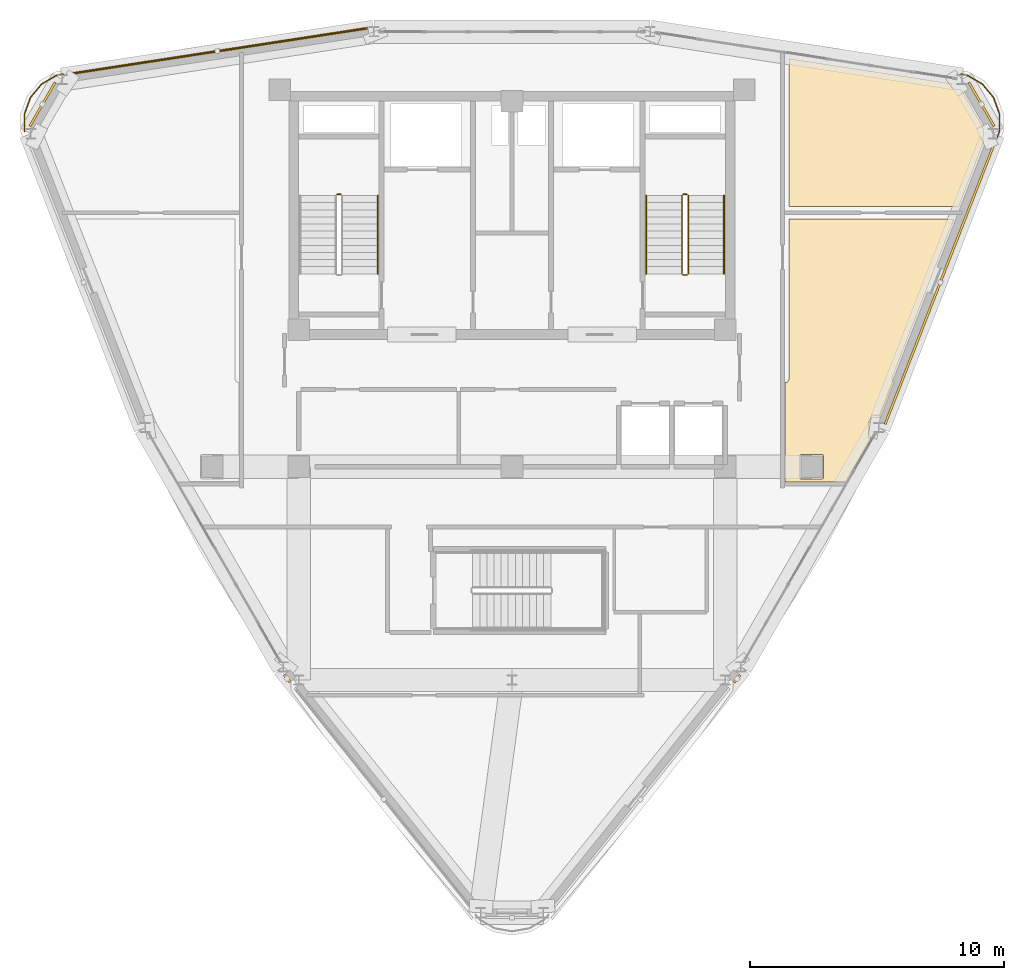
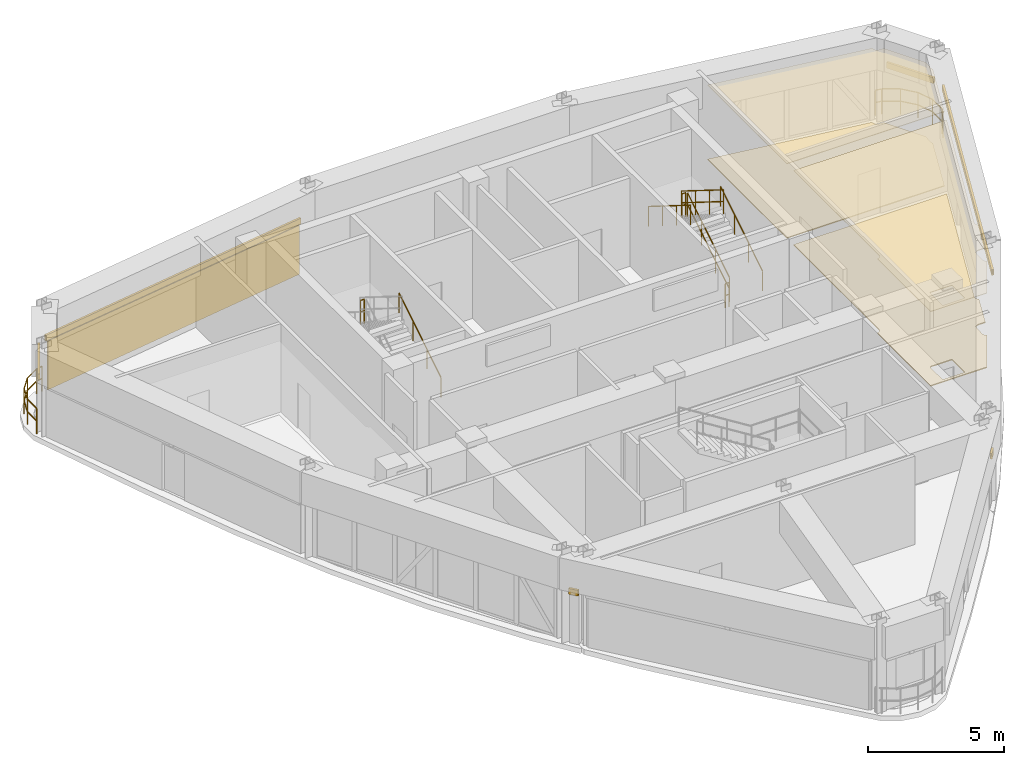
# One storey, part 16 of 16: 10 railings, 6 shading devices, 5 coverings.
"""IFC4 building model written with IfcOpenShell, lengths in metres."""

from ifc_helpers import new_model, si_unit, derived_unit, direction, frame, origin, origin_2d, place, context, subcontext, project, spatial, polyline, hollow_rectangle, circle, outline, extrude, source, transform, mapped, material, layer, layer_set, material_profile, profile_set, type_object, element, save


model = new_model("IFC4")

# Units and contexts
model_context = context("Model", 3, precision=1e-05, world=origin(), true_north=direction((0.0, 1.0)))
body_context = subcontext(model_context, "Body", "Model", "MODEL_VIEW")
ifc_project = project(units=[si_unit("LENGTHUNIT", "METRE"), si_unit("AREAUNIT", "SQUARE_METRE"), si_unit("VOLUMEUNIT", "CUBIC_METRE"), si_unit("PLANEANGLEUNIT", "RADIAN"), si_unit("MASSUNIT", "GRAM", prefix="KILO"), derived_unit("THERMALTRANSMITTANCEUNIT", [(si_unit("POWERUNIT", "WATT"), 1), (si_unit("LENGTHUNIT", "METRE"), -2), (si_unit("THERMODYNAMICTEMPERATUREUNIT", "KELVIN"), -1)])], contexts=[model_context])

# Site, building, storey
site_placement = place(None, origin())
site = spatial("IfcSite", under=ifc_project, at=site_placement, CompositionType="ELEMENT")
building_placement = place(site_placement, origin())
building = spatial("IfcBuilding", under=site, at=building_placement, Name="Korsvarv Bourse and Concert Hall", CompositionType="ELEMENT")
storey_placement = place(building_placement, frame((0.0, 0.0, 283.800048828125)))
storey = spatial("IfcBuildingStorey", under=building, at=storey_placement, Name="L74", CompositionType="ELEMENT", Elevation=283.800048828125)

# Coverings
ifc_material_1 = material(Name="Perforated mineral-wool and birch acoustic baffle ceiling", Category="wood")
ifc_layer_1 = layer(ifc_material_1, 0.02490234375)
ifc_layer_set_1 = layer_set([ifc_layer_1], Name="Perforated mineral-wool and birch acoustic baffle ceiling")
covering_type_1 = type_object("IfcCoveringType", Name="COV-CEIL-1", PredefinedType="CEILING", material=ifc_layer_set_1)
covering_1_placement = place(storey_placement, frame((0.0, 0.0, 3.33984375)))
element("IfcCovering", 1, at=covering_1_placement, inside=storey, type_object=covering_type_1, Name="L74 acoustic baffle ceiling 1", PredefinedType="CEILING", context=body_context, shape_type="SweptSolid", body=[
    extrude(outline(polyline([(46.75, 35.711181640625), (46.775146484375, 35.7158203125), (46.809326171875, 35.728515625), (46.840087890625, 35.747802734375), (46.86669921875, 35.772705078125), (46.887451171875, 35.802734375), (46.901611328125, 35.836181640625), (46.9091796875, 35.871826171875), (46.909912109375, 42.14990234375), (53.402587890625, 42.14990234375), (50.985595703125, 35.9443359375), (50.97607421875, 35.9091796875), (50.973388671875, 35.872802734375), (50.978515625, 35.8369140625), (50.990478515625, 35.802490234375), (51.00927734375, 35.771240234375), (51.033935546875, 35.744384765625), (51.0634765625, 35.72314453125), (50.528564453125, 34.32958984375), (50.243896484375, 34.33251953125), (50.208984375, 34.32958984375), (50.17529296875, 34.31982421875), (50.144287109375, 34.3037109375), (50.116943359375, 34.281982421875), (50.09423828125, 34.255615234375), (50.0771484375, 34.22509765625), (50.066162109375, 34.191650390625), (50.06201171875, 34.156982421875), (50.052001953125, 33.748046875), (50.054443359375, 33.713134765625), (50.063720703125, 33.6796875), (50.0791015625, 33.6484375), (50.100341796875, 33.62060546875), (50.12646484375, 33.59765625), (50.156494140625, 33.580078125), (49.1328125, 31.794921875), (49.10791015625, 31.802001953125), (49.072265625, 31.8056640625), (46.75, 31.81005859375), (46.75, 35.711181640625)]), holes=[polyline([(47.365234375, 31.926025390625), (48.22509765625, 31.925048828125), (48.24853515625, 31.930908203125), (48.2666015625, 31.947265625), (48.27490234375, 31.97021484375), (48.27490234375, 32.824951171875), (48.26904296875, 32.8486328125), (48.252685546875, 32.86669921875), (48.22998046875, 32.874755859375), (47.375, 32.875), (47.351318359375, 32.869140625), (47.33349609375, 32.852783203125), (47.3251953125, 32.829833984375), (47.324951171875, 31.97509765625), (47.330810546875, 31.951416015625), (47.365234375, 31.926025390625)])]), origin(), (0.0, 0.0, 1.0), 0.025146484375),
])
covering_2_placement = place(storey_placement, frame((0.0, 0.0, 3.33984375)))
element("IfcCovering", 2, at=covering_2_placement, inside=storey, type_object=covering_type_1, Name="L74 acoustic baffle ceiling 3", PredefinedType="CEILING", context=body_context, shape_type="SweptSolid", body=[
    extrude(outline(polyline([(53.3232421875, 47.45361328125), (53.326416015625, 47.419189453125), (53.336181640625, 47.38623046875), (53.352294921875, 47.355712890625), (53.373779296875, 47.32861328125), (53.39990234375, 47.30615234375), (53.429931640625, 47.289306640625), (53.462646484375, 47.2783203125), (53.496826171875, 47.273681640625), (53.6826171875, 47.26708984375), (54.568603515625, 45.732421875), (54.558349609375, 45.31884765625), (54.560791015625, 45.283447265625), (54.5703125, 45.24951171875), (54.58642578125, 45.2177734375), (53.59716796875, 42.64990234375), (46.909912109375, 42.64990234375), (46.909912109375, 48.47412109375), (53.3232421875, 47.490478515625), (53.3232421875, 47.45361328125)])), origin(), (0.0, 0.0, 1.0), 0.025146484375),
])
ifc_material_2 = material(Name="Warm iron-oxide extruded terracotta rainscreen tile", Category="ceramic")
ifc_layer_2 = layer(ifc_material_2, 0.044921875)
ifc_layer_set_2 = layer_set([ifc_layer_2], Name="Warm iron-oxide extruded terracotta rainscreen tile")
covering_type_2 = type_object("IfcCoveringType", Name="COV-CLD-TC", PredefinedType="CLADDING", material=ifc_layer_set_2)
covering_3_placement = place(storey_placement, origin())
element("IfcCovering", 3, at=covering_3_placement, inside=storey, type_object=covering_type_2, Name="L74 fluted terracotta cladding panel EW-L74-B04", PredefinedType="CLADDING", context=body_context, shape_type="SweptSolid", body=[
    extrude(outline(polyline([(30.255126953125, 49.625732421875), (18.55029296875, 47.830078125), (18.543701171875, 47.87451171875), (30.248291015625, 49.670166015625), (30.255126953125, 49.625732421875)])), origin(), (0.0, 0.0, 1.0), 2.199951171875),
])
ifc_material_3 = material(Name="Calcium-sulphate raised access trading floor with Nordic oak top", Category="wood")
ifc_layer_3 = layer(ifc_material_3, 0.0400390625)
ifc_layer_set_3 = layer_set([ifc_layer_3], Name="Calcium-sulphate raised access trading floor with Nordic oak top")
covering_type_3 = type_object("IfcCoveringType", Name="COV-FLOR-1", PredefinedType="FLOORING", material=ifc_layer_set_3)
covering_4_placement = place(storey_placement, origin())
element("IfcCovering", 4, at=covering_4_placement, inside=storey, type_object=covering_type_3, Name="L74 raised access oak floor finish 1", PredefinedType="FLOORING", context=body_context, shape_type="SweptSolid", body=[
    extrude(outline(polyline([(46.75, 35.711181640625), (46.775146484375, 35.7158203125), (46.809326171875, 35.728515625), (46.840087890625, 35.747802734375), (46.86669921875, 35.772705078125), (46.887451171875, 35.802734375), (46.901611328125, 35.836181640625), (46.9091796875, 35.871826171875), (46.909912109375, 42.14990234375), (53.402587890625, 42.14990234375), (50.985595703125, 35.9443359375), (50.97607421875, 35.9091796875), (50.973388671875, 35.872802734375), (50.978515625, 35.8369140625), (50.990478515625, 35.802490234375), (51.00927734375, 35.771240234375), (51.033935546875, 35.744384765625), (51.0634765625, 35.72314453125), (50.528564453125, 34.32958984375), (50.243896484375, 34.33251953125), (50.208984375, 34.32958984375), (50.17529296875, 34.31982421875), (50.144287109375, 34.3037109375), (50.116943359375, 34.281982421875), (50.09423828125, 34.255615234375), (50.0771484375, 34.22509765625), (50.066162109375, 34.191650390625), (50.06201171875, 34.156982421875), (50.052001953125, 33.748046875), (50.054443359375, 33.713134765625), (50.063720703125, 33.6796875), (50.0791015625, 33.6484375), (50.100341796875, 33.62060546875), (50.12646484375, 33.59765625), (50.156494140625, 33.580078125), (49.1328125, 31.794921875), (49.10791015625, 31.802001953125), (49.072265625, 31.8056640625), (46.75, 31.81005859375), (46.75, 35.711181640625)]), holes=[polyline([(47.365234375, 31.926025390625), (48.22509765625, 31.925048828125), (48.24853515625, 31.930908203125), (48.2666015625, 31.947265625), (48.27490234375, 31.97021484375), (48.27490234375, 32.824951171875), (48.26904296875, 32.8486328125), (48.252685546875, 32.86669921875), (48.22998046875, 32.874755859375), (47.375, 32.875), (47.351318359375, 32.869140625), (47.33349609375, 32.852783203125), (47.3251953125, 32.829833984375), (47.324951171875, 31.97509765625), (47.330810546875, 31.951416015625), (47.365234375, 31.926025390625)])]), origin(), (0.0, 0.0, 1.0), 0.0400390625),
])
covering_5_placement = place(storey_placement, origin())
element("IfcCovering", 5, at=covering_5_placement, inside=storey, type_object=covering_type_3, Name="L74 raised access oak floor finish 3", PredefinedType="FLOORING", context=body_context, shape_type="SweptSolid", body=[
    extrude(outline(polyline([(53.3232421875, 47.45361328125), (53.326416015625, 47.419189453125), (53.336181640625, 47.38623046875), (53.352294921875, 47.355712890625), (53.373779296875, 47.32861328125), (53.39990234375, 47.30615234375), (53.429931640625, 47.289306640625), (53.462646484375, 47.2783203125), (53.496826171875, 47.273681640625), (53.6826171875, 47.26708984375), (54.568603515625, 45.732421875), (54.558349609375, 45.31884765625), (54.560791015625, 45.283447265625), (54.5703125, 45.24951171875), (54.58642578125, 45.2177734375), (53.59716796875, 42.64990234375), (46.909912109375, 42.64990234375), (46.909912109375, 48.47412109375), (53.3232421875, 47.490478515625), (53.3232421875, 47.45361328125)])), origin(), (0.0, 0.0, 1.0), 0.0400390625),
])

# Railings
ifc_material_4 = material(Name="Laminated safety glass and stainless Steel S355 balustrade", Category="steel")
railing_type_1 = type_object("IfcRailingType", Name="RL-BAL-EXT", PredefinedType="BALUSTRADE", material=ifc_material_4)
railing_1_placement = place(storey_placement, frame((16.801025390625, 45.610595703125, 0.0)))
element("IfcRailing", 6, at=railing_1_placement, inside=storey, type_object=railing_type_1, Name="L74 terrace perimeter balustrade SKYG1-1", PredefinedType="BALUSTRADE", context=body_context, shape_type="SweptSolid", body=[
    extrude(circle(Radius=0.02392578125, at=origin_2d()), frame((0.0, 0.0, 1.1259765625), z_axis=(0.0, 1.0, 0.0), x_axis=(-1.0, 0.0, 0.0)), (0.0, 0.0, 1.0), 0.689697265625),
    extrude(circle(Radius=0.02392578125, at=origin_2d()), frame((0.0, 0.0, 0.574951171875), z_axis=(0.0, 1.0, 0.0), x_axis=(-1.0, 0.0, 0.0)), (0.0, 0.0, 1.0), 0.689697265625),
    extrude(circle(Radius=0.02392578125, at=origin_2d()), frame((0.0, 0.689697265625, 1.1259765625), z_axis=(0.342339922887, 0.939576168917, 0.0), x_axis=(-0.939576168917, 0.342339922887, 0.0)), (0.0, 0.0, 1.0), 0.689697265625),
    extrude(circle(Radius=0.02392578125, at=origin_2d()), frame((0.0, 0.689697265625, 0.574951171875), z_axis=(0.342339922887, 0.939576168917, 0.0), x_axis=(-0.939576168917, 0.342339922887, 0.0)), (0.0, 0.0, 1.0), 0.689697265625),
    extrude(circle(Radius=0.02392578125, at=origin_2d()), frame((0.236083984375, 1.337646484375, 1.1259765625), z_axis=(0.642618966815, 0.766185919663, 0.0), x_axis=(-0.766185919663, 0.642618966815, 0.0)), (0.0, 0.0, 1.0), 0.689453125),
    extrude(circle(Radius=0.02392578125, at=origin_2d()), frame((0.236083984375, 1.337646484375, 0.574951171875), z_axis=(0.642618966815, 0.766185919663, 0.0), x_axis=(-0.766185919663, 0.642618966815, 0.0)), (0.0, 0.0, 1.0), 0.689453125),
    extrude(circle(Radius=0.02392578125, at=origin_2d()), frame((0.67919921875, 1.865966796875, 1.1259765625), z_axis=(0.866055875208, 0.499947218231, 0.0), x_axis=(-0.499947218231, 0.866055875208, 0.0)), (0.0, 0.0, 1.0), 0.689453125),
    extrude(circle(Radius=0.02392578125, at=origin_2d()), frame((0.67919921875, 1.865966796875, 0.574951171875), z_axis=(0.866055875208, 0.499947218231, 0.0), x_axis=(-0.499947218231, 0.866055875208, 0.0)), (0.0, 0.0, 1.0), 0.689453125),
    extrude(circle(Radius=0.02392578125, at=origin_2d()), frame((1.2763671875, 2.210693359375, 1.1259765625), z_axis=(0.984861451487, 0.173343362651, 0.0), x_axis=(-0.173343362651, 0.984861451487, 0.0)), (0.0, 0.0, 1.0), 0.252197265625),
    extrude(circle(Radius=0.02392578125, at=origin_2d()), frame((1.2763671875, 2.210693359375, 0.574951171875), z_axis=(0.984861451487, 0.173343362651, 0.0), x_axis=(-0.173343362651, 0.984861451487, 0.0)), (0.0, 0.0, 1.0), 0.252197265625),
    extrude(circle(Radius=0.02099609375, at=origin_2d()), origin(), (0.0, 0.0, 1.0), 1.101806640625),
    extrude(circle(Radius=0.02099609375, at=origin_2d()), frame((0.0, 0.689697265625, 0.0)), (0.0, 0.0, 1.0), 1.101806640625),
    extrude(circle(Radius=0.02099609375, at=origin_2d()), frame((0.236083984375, 1.337646484375, 0.0)), (0.0, 0.0, 1.0), 1.101806640625),
    extrude(circle(Radius=0.02099609375, at=origin_2d()), frame((0.67919921875, 1.865966796875, 0.0)), (0.0, 0.0, 1.0), 1.101806640625),
    extrude(circle(Radius=0.02099609375, at=origin_2d()), frame((1.2763671875, 2.210693359375, 0.0)), (0.0, 0.0, 1.0), 1.101806640625),
    extrude(circle(Radius=0.02099609375, at=origin_2d()), frame((1.524658203125, 2.25439453125, 0.0)), (0.0, 0.0, 1.0), 1.101806640625),
])
railing_2_placement = place(storey_placement, frame((53.67431640625, 47.864990234375, 0.0)))
element("IfcRailing", 7, at=railing_2_placement, inside=storey, type_object=railing_type_1, Name="L74 terrace perimeter balustrade SKYG2-1", PredefinedType="BALUSTRADE", context=body_context, shape_type="SweptSolid", body=[
    extrude(circle(Radius=0.02392578125, at=origin_2d()), frame((0.0, 0.0, 1.1259765625), z_axis=(0.984861451487, -0.173343362651, 0.0), x_axis=(0.173343362651, 0.984861451487, 0.0)), (0.0, 0.0, 1.0), 0.252197265625),
    extrude(circle(Radius=0.02392578125, at=origin_2d()), frame((0.0, 0.0, 0.574951171875), z_axis=(0.984861451487, -0.173343362651, 0.0), x_axis=(0.173343362651, 0.984861451487, 0.0)), (0.0, 0.0, 1.0), 0.252197265625),
    extrude(circle(Radius=0.02392578125, at=origin_2d()), frame((0.248291015625, -0.043701171875, 1.1259765625), z_axis=(0.866055875208, -0.499947218231, 0.0), x_axis=(0.499947218231, 0.866055875208, 0.0)), (0.0, 0.0, 1.0), 0.689453125),
    extrude(circle(Radius=0.02392578125, at=origin_2d()), frame((0.248291015625, -0.043701171875, 0.574951171875), z_axis=(0.866055875208, -0.499947218231, 0.0), x_axis=(0.499947218231, 0.866055875208, 0.0)), (0.0, 0.0, 1.0), 0.689453125),
    extrude(circle(Radius=0.02392578125, at=origin_2d()), frame((0.845458984375, -0.388427734375, 1.1259765625), z_axis=(0.642618966815, -0.766185919663, 0.0), x_axis=(0.766185919663, 0.642618966815, 0.0)), (0.0, 0.0, 1.0), 0.689453125),
    extrude(circle(Radius=0.02392578125, at=origin_2d()), frame((0.845458984375, -0.388427734375, 0.574951171875), z_axis=(0.642618966815, -0.766185919663, 0.0), x_axis=(0.766185919663, 0.642618966815, 0.0)), (0.0, 0.0, 1.0), 0.689453125),
    extrude(circle(Radius=0.02392578125, at=origin_2d()), frame((1.28857421875, -0.916748046875, 1.1259765625), z_axis=(0.342339922887, -0.939576168917, 0.0), x_axis=(0.939576168917, 0.342339922887, 0.0)), (0.0, 0.0, 1.0), 0.689697265625),
    extrude(circle(Radius=0.02392578125, at=origin_2d()), frame((1.28857421875, -0.916748046875, 0.574951171875), z_axis=(0.342339922887, -0.939576168917, 0.0), x_axis=(0.939576168917, 0.342339922887, 0.0)), (0.0, 0.0, 1.0), 0.689697265625),
    extrude(circle(Radius=0.02392578125, at=origin_2d()), frame((1.524658203125, -1.564697265625, 1.1259765625), z_axis=(0.0, -1.0, 0.0), x_axis=(1.0, 0.0, 0.0)), (0.0, 0.0, 1.0), 0.689697265625),
    extrude(circle(Radius=0.02392578125, at=origin_2d()), frame((1.524658203125, -1.564697265625, 0.574951171875), z_axis=(0.0, -1.0, 0.0), x_axis=(1.0, 0.0, 0.0)), (0.0, 0.0, 1.0), 0.689697265625),
    extrude(circle(Radius=0.02392578125, at=origin_2d()), frame((1.524658203125, -2.25439453125, 1.1259765625), z_axis=(-0.342519827451, -0.939510600155, 0.0), x_axis=(0.939510600155, -0.342519827451, 0.0)), (0.0, 0.0, 1.0), 0.25244140625),
    extrude(circle(Radius=0.02392578125, at=origin_2d()), frame((1.524658203125, -2.25439453125, 0.574951171875), z_axis=(-0.342519827451, -0.939510600155, 0.0), x_axis=(0.939510600155, -0.342519827451, 0.0)), (0.0, 0.0, 1.0), 0.25244140625),
    extrude(circle(Radius=0.02099609375, at=origin_2d()), origin(), (0.0, 0.0, 1.0), 1.101806640625),
    extrude(circle(Radius=0.02099609375, at=origin_2d()), frame((0.248291015625, -0.043701171875, 0.0)), (0.0, 0.0, 1.0), 1.101806640625),
    extrude(circle(Radius=0.02099609375, at=origin_2d()), frame((0.845458984375, -0.388427734375, 0.0)), (0.0, 0.0, 1.0), 1.101806640625),
    extrude(circle(Radius=0.02099609375, at=origin_2d()), frame((1.28857421875, -0.916748046875, 0.0)), (0.0, 0.0, 1.0), 1.101806640625),
    extrude(circle(Radius=0.02099609375, at=origin_2d()), frame((1.524658203125, -1.564697265625, 0.0)), (0.0, 0.0, 1.0), 1.101806640625),
    extrude(circle(Radius=0.02099609375, at=origin_2d()), frame((1.524658203125, -2.25439453125, 0.0)), (0.0, 0.0, 1.0), 1.101806640625),
    extrude(circle(Radius=0.02099609375, at=origin_2d()), frame((1.438232421875, -2.491455078125, 0.0)), (0.0, 0.0, 1.0), 1.101806640625),
])
ifc_material_5 = material(Name="Painted Steel S355 stair well guardrail", Category="steel")
railing_type_2 = type_object("IfcRailingType", Name="RL-ST-GRD", PredefinedType="GUARDRAIL", material=ifc_material_5)
railing_3_placement = place(storey_placement, frame((29.260009765625, 43.1298828125, 2.099853515625)))
element("IfcRailing", 8, at=railing_3_placement, inside=storey, type_object=railing_type_2, Name="L74 ST-T1 stair guard 2", PredefinedType="GUARDRAIL", context=body_context, shape_type="SweptSolid", body=[
    extrude(circle(Radius=0.02392578125, at=origin_2d()), frame((0.0, 0.0, 1.076171875), z_axis=(-1.0, 0.0, 0.0), x_axis=(0.0, -1.0, 0.0)), (0.0, 0.0, 1.0), 0.159912109375),
    extrude(circle(Radius=0.02392578125, at=origin_2d()), frame((0.0, 0.0, 0.550048828125), z_axis=(-1.0, 0.0, 0.0), x_axis=(0.0, -1.0, 0.0)), (0.0, 0.0, 1.0), 0.159912109375),
    extrude(circle(Radius=0.02099609375, at=origin_2d()), origin(), (0.0, 0.0, 1.0), 1.052001953125),
    extrude(circle(Radius=0.02099609375, at=origin_2d()), frame((-0.159912109375, 0.0, 0.0)), (0.0, 0.0, 1.0), 1.052001953125),
])
railing_4_placement = place(storey_placement, frame((42.949951171875, 40.0, 0.175048828125)))
element("IfcRailing", 9, at=railing_4_placement, inside=storey, type_object=railing_type_2, Name="L74 ST-T2 stair guard 1", PredefinedType="GUARDRAIL", context=body_context, shape_type="SweptSolid", body=[
    extrude(circle(Radius=0.02392578125, at=origin_2d()), frame((0.0, 0.0, 1.076171875), z_axis=(0.0, 0.848028513186, 0.529950602248), x_axis=(-1.0, 0.0, 0.0)), (0.0, 0.0, 1.0), 3.632080078125),
    extrude(circle(Radius=0.02392578125, at=origin_2d()), frame((0.0, 0.0, 0.550048828125), z_axis=(0.0, 0.848028513186, 0.529950602248), x_axis=(-1.0, 0.0, 0.0)), (0.0, 0.0, 1.0), 3.632080078125),
    extrude(circle(Radius=0.02099609375, at=origin_2d()), origin(), (0.0, 0.0, 1.0), 1.052001953125),
    extrude(circle(Radius=0.02099609375, at=origin_2d()), frame((0.0, 1.026611328125, 0.6416015625)), (0.0, 0.0, 1.0), 1.052001953125),
    extrude(circle(Radius=0.02099609375, at=origin_2d()), frame((0.0, 2.053466796875, 1.283203125)), (0.0, 0.0, 1.0), 1.052001953125),
    extrude(circle(Radius=0.02099609375, at=origin_2d()), frame((0.0, 3.080078125, 1.9248046875)), (0.0, 0.0, 1.0), 1.052001953125),
])
railing_5_placement = place(storey_placement, frame((42.89990234375, 43.1298828125, 2.099853515625)))
element("IfcRailing", 10, at=railing_5_placement, inside=storey, type_object=railing_type_2, Name="L74 ST-T2 stair guard 2", PredefinedType="GUARDRAIL", context=body_context, shape_type="SweptSolid", body=[
    extrude(circle(Radius=0.02392578125, at=origin_2d()), frame((0.0, 0.0, 1.076171875), z_axis=(-1.0, 0.0, 0.0), x_axis=(0.0, -1.0, 0.0)), (0.0, 0.0, 1.0), 0.159912109375),
    extrude(circle(Radius=0.02392578125, at=origin_2d()), frame((0.0, 0.0, 0.550048828125), z_axis=(-1.0, 0.0, 0.0), x_axis=(0.0, -1.0, 0.0)), (0.0, 0.0, 1.0), 0.159912109375),
    extrude(circle(Radius=0.02099609375, at=origin_2d()), origin(), (0.0, 0.0, 1.0), 1.052001953125),
    extrude(circle(Radius=0.02099609375, at=origin_2d()), frame((-0.159912109375, 0.0, 0.0)), (0.0, 0.0, 1.0), 1.052001953125),
])
railing_6_placement = place(storey_placement, frame((42.68994140625, 43.080078125, 2.27490234375)))
element("IfcRailing", 11, at=railing_6_placement, inside=storey, type_object=railing_type_2, Name="L74 ST-T2 stair guard 3", PredefinedType="GUARDRAIL", context=body_context, shape_type="SweptSolid", body=[
    extrude(circle(Radius=0.02392578125, at=origin_2d()), frame((0.0, 0.0, 1.076171875), z_axis=(0.0, -0.847998304005, 0.529998940003), x_axis=(1.0, 0.0, 0.0)), (0.0, 0.0, 1.0), 3.632080078125),
    extrude(circle(Radius=0.02392578125, at=origin_2d()), frame((0.0, 0.0, 0.550048828125), z_axis=(0.0, -0.847998304005, 0.529998940003), x_axis=(1.0, 0.0, 0.0)), (0.0, 0.0, 1.0), 3.632080078125),
    extrude(circle(Radius=0.02099609375, at=origin_2d()), origin(), (0.0, 0.0, 1.0), 1.052001953125),
    extrude(circle(Radius=0.02099609375, at=origin_2d()), frame((0.0, -1.026611328125, 0.6416015625)), (0.0, 0.0, 1.0), 1.052001953125),
    extrude(circle(Radius=0.02099609375, at=origin_2d()), frame((0.0, -2.053466796875, 1.283447265625)), (0.0, 0.0, 1.0), 1.052001953125),
    extrude(circle(Radius=0.02099609375, at=origin_2d()), frame((0.0, -3.080078125, 1.925048828125)), (0.0, 0.0, 1.0), 1.052001953125),
])
railing_7_placement = place(storey_placement, frame((42.89990234375, 39.949951171875, 0.0)))
element("IfcRailing", 12, at=railing_7_placement, inside=storey, type_object=railing_type_2, Name="L74 ST-T2 stair guard 4", PredefinedType="GUARDRAIL", context=body_context, shape_type="SweptSolid", body=[
    extrude(circle(Radius=0.02392578125, at=origin_2d()), frame((0.0, 0.0, 1.076171875), z_axis=(-1.0, 0.0, 0.0), x_axis=(0.0, -1.0, 0.0)), (0.0, 0.0, 1.0), 0.159912109375),
    extrude(circle(Radius=0.02392578125, at=origin_2d()), frame((0.0, 0.0, 0.550048828125), z_axis=(-1.0, 0.0, 0.0), x_axis=(0.0, -1.0, 0.0)), (0.0, 0.0, 1.0), 0.159912109375),
    extrude(circle(Radius=0.02099609375, at=origin_2d()), origin(), (0.0, 0.0, 1.0), 1.052001953125),
    extrude(circle(Radius=0.02099609375, at=origin_2d()), frame((-0.159912109375, 0.0, 0.0)), (0.0, 0.0, 1.0), 1.052001953125),
])
ifc_material_6 = material(Name="Brushed stainless Steel S355 tubular handrail", Category="steel")
railing_type_3 = type_object("IfcRailingType", Name="RL-ST-HND", PredefinedType="HANDRAIL", material=ifc_material_6)
for number, where, name in (
    (13, (30.7099609375, 40.0, 0.175048828125), "L74 ST-T1 stair handrail 1"),
    (14, (44.35009765625, 40.0, 0.175048828125), "L74 ST-T2 stair handrail 1"),
):
    element("IfcRailing", number, at=place(storey_placement, frame(where)), inside=storey, type_object=railing_type_3, Name=name, PredefinedType="HANDRAIL", context=body_context, shape_type="SweptSolid", body=[
        extrude(circle(Radius=0.02392578125, at=origin_2d()), frame((0.0, 0.0, 0.8759765625), z_axis=(0.0, 0.848028513186, 0.529950602248), x_axis=(-1.0, 0.0, 0.0)), (0.0, 0.0, 1.0), 3.632080078125),
        extrude(circle(Radius=0.02099609375, at=origin_2d()), origin(), (0.0, 0.0, 1.0), 0.851806640625),
        extrude(circle(Radius=0.02099609375, at=origin_2d()), frame((0.0, 1.026611328125, 0.6416015625)), (0.0, 0.0, 1.0), 0.851806640625),
        extrude(circle(Radius=0.02099609375, at=origin_2d()), frame((0.0, 2.053466796875, 1.283203125)), (0.0, 0.0, 1.0), 0.851806640625),
        extrude(circle(Radius=0.02099609375, at=origin_2d()), frame((0.0, 3.080078125, 1.9248046875)), (0.0, 0.0, 1.0), 0.851806640625),
    ])
railing_8_placement = place(storey_placement, frame((41.2900390625, 43.080078125, 2.27490234375)))
element("IfcRailing", 15, at=railing_8_placement, inside=storey, type_object=railing_type_3, Name="L74 ST-T2 stair handrail 2", PredefinedType="HANDRAIL", context=body_context, shape_type="SweptSolid", body=[
    extrude(circle(Radius=0.02392578125, at=origin_2d()), frame((0.0, 0.0, 0.8759765625), z_axis=(0.0, -0.847998304005, 0.529998940003), x_axis=(1.0, 0.0, 0.0)), (0.0, 0.0, 1.0), 3.632080078125),
    extrude(circle(Radius=0.02099609375, at=origin_2d()), origin(), (0.0, 0.0, 1.0), 0.851806640625),
    extrude(circle(Radius=0.02099609375, at=origin_2d()), frame((0.0, -1.026611328125, 0.6416015625)), (0.0, 0.0, 1.0), 0.851806640625),
    extrude(circle(Radius=0.02099609375, at=origin_2d()), frame((0.0, -2.053466796875, 1.283447265625)), (0.0, 0.0, 1.0), 0.851806640625),
    extrude(circle(Radius=0.02099609375, at=origin_2d()), frame((0.0, -3.080078125, 1.925048828125)), (0.0, 0.0, 1.0), 0.851806640625),
])

# Shading devices
ifc_material_7 = material(Name="Glazed extruded architectural terracotta", Category="ceramic")
ifc_material_profile = material_profile(ifc_material_7, hollow_rectangle(XDim=0.090087890625, YDim=0.260009765625, WallThickness=0.011962890625, at=origin_2d()), Name="TC-BAG 90x260")
ifc_profile_set = profile_set([ifc_material_profile], Name="Glazed extruded architectural terracotta")
shading_device_type = type_object("IfcShadingDeviceType", Name="SHD-BAG-1", PredefinedType="USERDEFINED", material=ifc_profile_set)
shared_shape_1 = source(origin(), body_context, "Body", "SweptSolid", [
    extrude(hollow_rectangle(XDim=0.090087890625, YDim=0.260009765625, WallThickness=0.011962890625, at=origin_2d()), origin(), (0.0, 0.0, 1.0), 1.99755859375),
])
for number, where, z_axis, x_axis, name in (
    (16, (54.99072265625, 45.81103515625, 2.35986328125), (-0.499990466345, 0.866030907973, 0.0), (-0.866030907973, -0.499990466345, 0.0), "L74 terracotta baguette sunshade EW-L74-B01"),
    (17, (18.008056640625, 47.541015625, 2.35986328125), (-0.499990466345, -0.866030907973, 0.0), (0.866030907973, -0.499990466345, 0.0), "L74 terracotta baguette sunshade EW-L74-B05"),
):
    element("IfcShadingDevice", number, at=place(storey_placement, frame(where, z_axis=z_axis, x_axis=x_axis)), inside=storey, type_object=shading_device_type, Name=name, ObjectType="BAGUETTE", PredefinedType="USERDEFINED", context=body_context, shape_type="MappedRepresentation", body=[
        mapped(shared_shape_1, transform((0.0, 0.0, 0.0), scale=1.0)),
    ])
shared_shape_2 = source(origin(), body_context, "Body", "SweptSolid", [
    extrude(hollow_rectangle(XDim=0.090087890625, YDim=0.260009765625, WallThickness=0.011962890625, at=origin_2d()), origin(), (0.0, 0.0, 1.0), 12.00146484375),
])
shading_device_1_placement = place(storey_placement, frame((30.328125, 49.677490234375, 2.35986328125), z_axis=(-0.988436984166, -0.151632214035, 0.0), x_axis=(0.151632214035, -0.988436984166, 0.0)))
element("IfcShadingDevice", 18, at=shading_device_1_placement, inside=storey, type_object=shading_device_type, Name="L74 terracotta baguette sunshade EW-L74-B04", ObjectType="BAGUETTE", PredefinedType="USERDEFINED", context=body_context, shape_type="MappedRepresentation", body=[
    mapped(shared_shape_2, transform((0.0, 0.0, 0.0), scale=1.0)),
])
shared_shape_3 = source(origin(), body_context, "Body", "SweptSolid", [
    extrude(hollow_rectangle(XDim=0.090087890625, YDim=0.260009765625, WallThickness=0.011962890625, at=origin_2d()), origin(), (0.0, 0.0, 1.0), 11.978515625),
])
shading_device_2_placement = place(storey_placement, frame((50.6943359375, 34.08056640625, 2.35986328125), z_axis=(0.362913406034, 0.931822869284, 0.0), x_axis=(-0.931822869284, 0.362913406034, 0.0)))
element("IfcShadingDevice", 19, at=shading_device_2_placement, inside=storey, type_object=shading_device_type, Name="L74 terracotta baguette sunshade EW-L74-B12", ObjectType="BAGUETTE", PredefinedType="USERDEFINED", context=body_context, shape_type="MappedRepresentation", body=[
    mapped(shared_shape_3, transform((0.0, 0.0, 0.0), scale=1.0)),
])
shared_shape_4 = source(origin(), body_context, "Body", "SweptSolid", [
    extrude(hollow_rectangle(XDim=0.090087890625, YDim=0.260009765625, WallThickness=0.011962890625, at=origin_2d()), origin(), (0.0, 0.0, 1.0), 0.372314453125),
])
for number, where, z_axis, x_axis, name in (
    (20, (27.02490234375, 24.20703125, 2.35986328125), (0.625494298598, -0.780228737244, 0.0), (0.780228737244, 0.625494298598, 0.0), "L74 terracotta baguette sunshade EW-L74-B08-1"),
    (21, (44.75, 23.91015625, 2.35986328125), (0.625494298598, 0.780228737244, 0.0), (-0.780228737244, 0.625494298598, 0.0), "L74 terracotta baguette sunshade EW-L74-B10-2"),
):
    element("IfcShadingDevice", number, at=place(storey_placement, frame(where, z_axis=z_axis, x_axis=x_axis)), inside=storey, type_object=shading_device_type, Name=name, ObjectType="BAGUETTE", PredefinedType="USERDEFINED", context=body_context, shape_type="MappedRepresentation", body=[
        mapped(shared_shape_4, transform((0.0, 0.0, 0.0), scale=1.0)),
    ])

save(model, "model.ifc")
